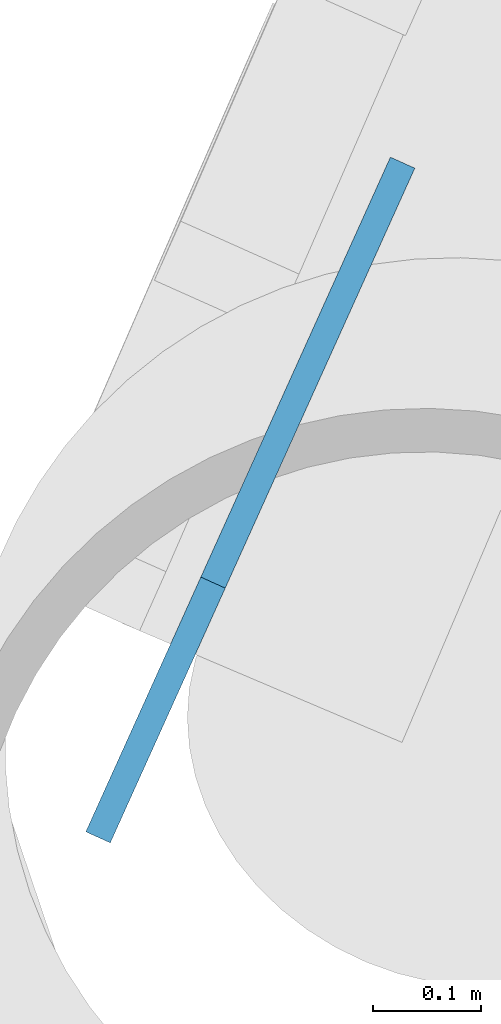
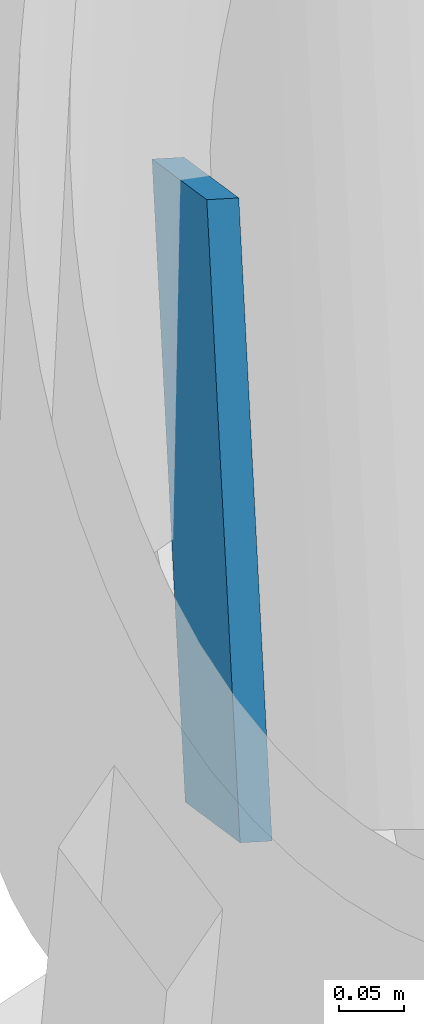
# One storey, part 26 of 35: 1 discrete accessory.
"""IFC4 building model written with IfcOpenShell, lengths in metres."""

from ifc_helpers import new_model, si_unit, direction, frame, origin, origin_2d, place, context, subcontext, project, spatial, rectangle, extrude, material, material_profile, profile_set, type_object, element, save


model = new_model("IFC4")

# Units and contexts
model_context = context("Model", 3, precision=1e-05, world=origin(), true_north=direction((0.0, 1.0)))
body_context = subcontext(model_context, "Body", "Model", "MODEL_VIEW")
ifc_project = project(units=[si_unit("LENGTHUNIT", "METRE"), si_unit("AREAUNIT", "SQUARE_METRE"), si_unit("VOLUMEUNIT", "CUBIC_METRE"), si_unit("PLANEANGLEUNIT", "RADIAN"), si_unit("MASSUNIT", "GRAM", prefix="KILO")], contexts=[model_context])

# Site, building, storey
site_placement = place(None, origin())
site = spatial("IfcSite", under=ifc_project, at=site_placement, CompositionType="ELEMENT")
building_placement = place(site_placement, origin())
building = spatial("IfcBuilding", under=site, at=building_placement, Name="Tarsis Ring Headquarters", CompositionType="ELEMENT")
storey_placement = place(building_placement, frame((0.0, 0.0, 360.800048828125)))
storey = spatial("IfcBuildingStorey", under=building, at=storey_placement, Name="L85", CompositionType="ELEMENT", Elevation=360.800048828125)

# Discrete accessory
ifc_material = material(Name="Structural steel S355", Category="steel")
ifc_material_profile = material_profile(ifc_material, rectangle(XDim=0.02490234375, YDim=0.5, at=origin_2d()), Name="PL 25x500")
ifc_profile_set = profile_set([ifc_material_profile], Name="Structural steel S355")
discrete_accessory_type = type_object("IfcDiscreteAccessoryType", Name="Gusset plate Exo brace 25", PredefinedType="BRACKET", material=ifc_profile_set)
discrete_accessory_placement = place(storey_placement, frame((-28.666015625, 6.1044921875, 0.0), z_axis=(0.213386792079, 0.472673717923, 0.855012066202), x_axis=(-0.911427556373, 0.411460580718, 0.0)))
element("IfcDiscreteAccessory", 1, at=discrete_accessory_placement, inside=storey, type_object=discrete_accessory_type, Name="Gusset plate GP5", PredefinedType="BRACKET", context=body_context, shape_type="SweptSolid", body=[
    extrude(rectangle(XDim=0.02490234375, YDim=0.5, at=origin_2d()), origin(), (0.0, 0.0, 1.0), 0.5),
])

save(model, "model.ifc")
